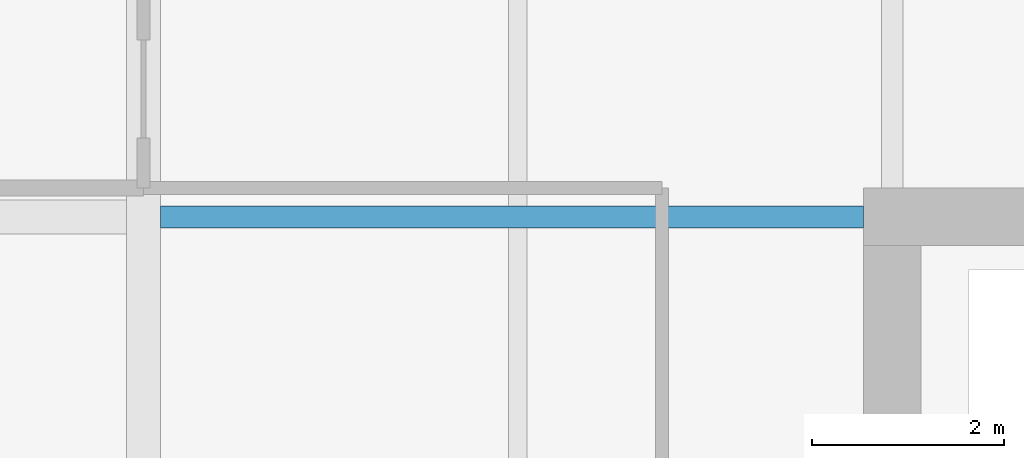
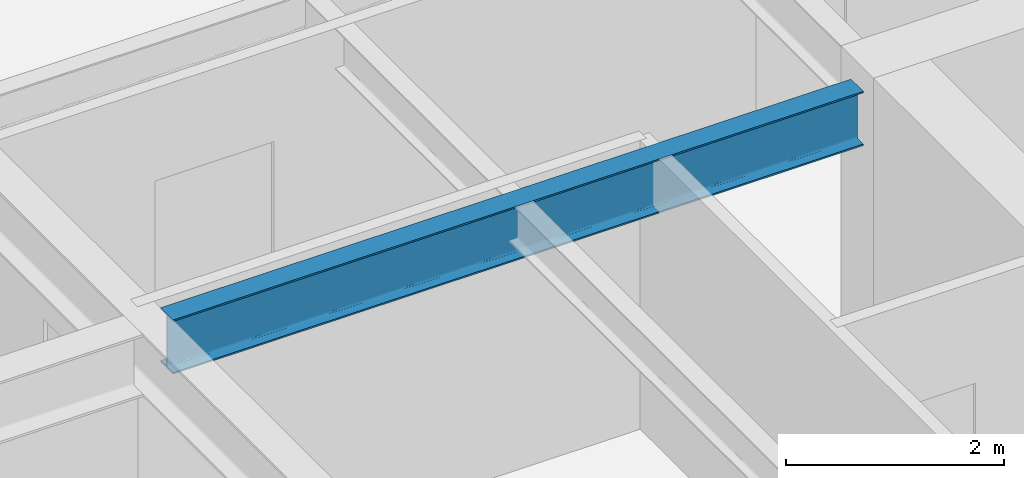
# One storey, part 17 of 34: 1 beam.
"""IFC4 building model written with IfcOpenShell, lengths in metres."""

from ifc_helpers import new_model, si_unit, direction, frame, origin, origin_2d, place, context, subcontext, project, spatial, i_section, extrude, material, material_profile, profile_set, type_object, element, save


model = new_model("IFC4")

# Units and contexts
model_context = context("Model", 3, precision=1e-05, world=origin(), true_north=direction((0.0, 1.0)))
body_context = subcontext(model_context, "Body", "Model", "MODEL_VIEW")
ifc_project = project(units=[si_unit("LENGTHUNIT", "METRE"), si_unit("AREAUNIT", "SQUARE_METRE"), si_unit("VOLUMEUNIT", "CUBIC_METRE"), si_unit("PLANEANGLEUNIT", "RADIAN"), si_unit("MASSUNIT", "GRAM", prefix="KILO")], contexts=[model_context])

# Site, building, storey
site_placement = place(None, origin())
site = spatial("IfcSite", under=ifc_project, at=site_placement, CompositionType="ELEMENT")
building_placement = place(site_placement, origin())
building = spatial("IfcBuilding", under=site, at=building_placement, Name="Drelvath Grand Hotel", CompositionType="ELEMENT")
storey_placement = place(building_placement, frame((0.0, 0.0, 126.800048828125)))
storey = spatial("IfcBuildingStorey", under=building, at=storey_placement, Name="L32", CompositionType="ELEMENT", Elevation=126.800048828125)

# Beam
ifc_material = material(Name="Steel ASTM A992 Gr 50", Category="steel")
ifc_material_profile = material_profile(ifc_material, i_section(OverallWidth=0.228271484375, OverallDepth=0.607666015625, WebThickness=0.01123046875, FlangeThickness=0.017333984375, FilletRadius=0.02001953125, at=origin_2d()), Name="W24X76")
ifc_profile_set = profile_set([ifc_material_profile], Name="Steel ASTM A992 Gr 50")
beam_type = type_object("IfcBeamType", Name="Primary Floor Girder W24X76", PredefinedType="BEAM", material=ifc_profile_set)
beam_placement = place(storey_placement, frame((-16.022705078125, 35.39990234375, 2.93603515625), z_axis=(1.0, 0.0, 0.0), x_axis=(0.0, 1.0, 0.0)))
element("IfcBeam", 1, at=beam_placement, inside=storey, type_object=beam_type, Name="L32 West Core Tie F", PredefinedType="BEAM", context=body_context, shape_type="SweptSolid", body=[
    extrude(i_section(OverallWidth=0.228271484375, OverallDepth=0.607666015625, WebThickness=0.01123046875, FlangeThickness=0.017333984375, FilletRadius=0.02001953125, at=origin_2d()), origin(), (0.0, 0.0, 1.0), 7.32275390625),
])

save(model, "model.ifc")
